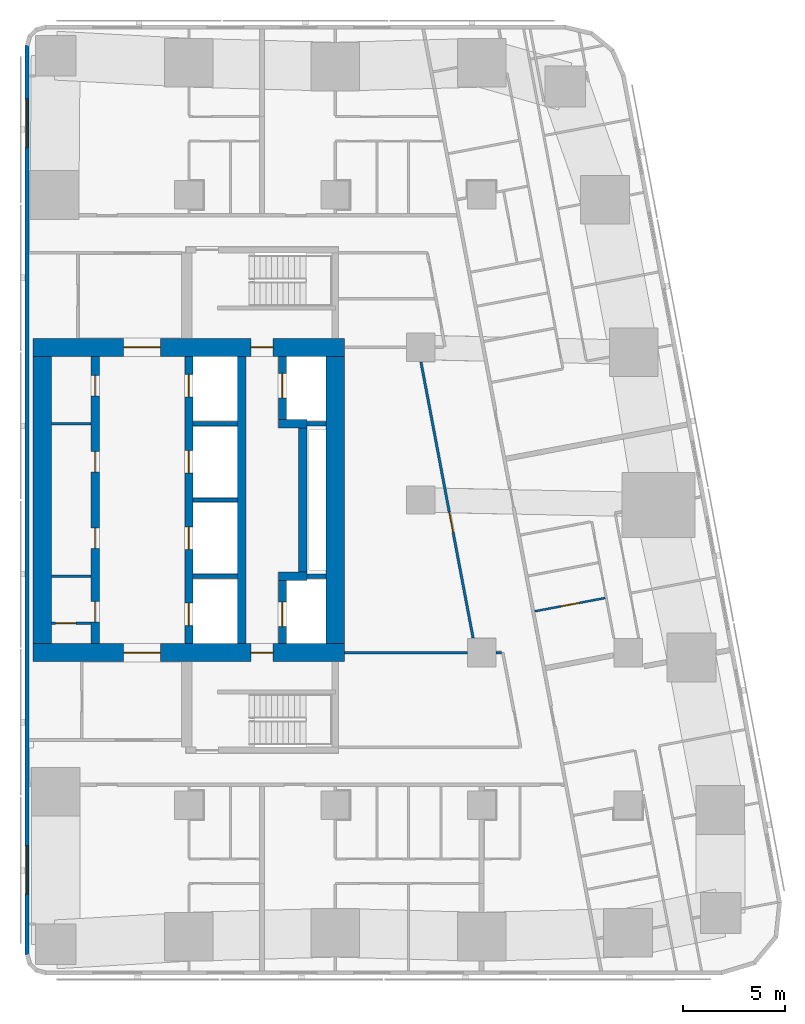
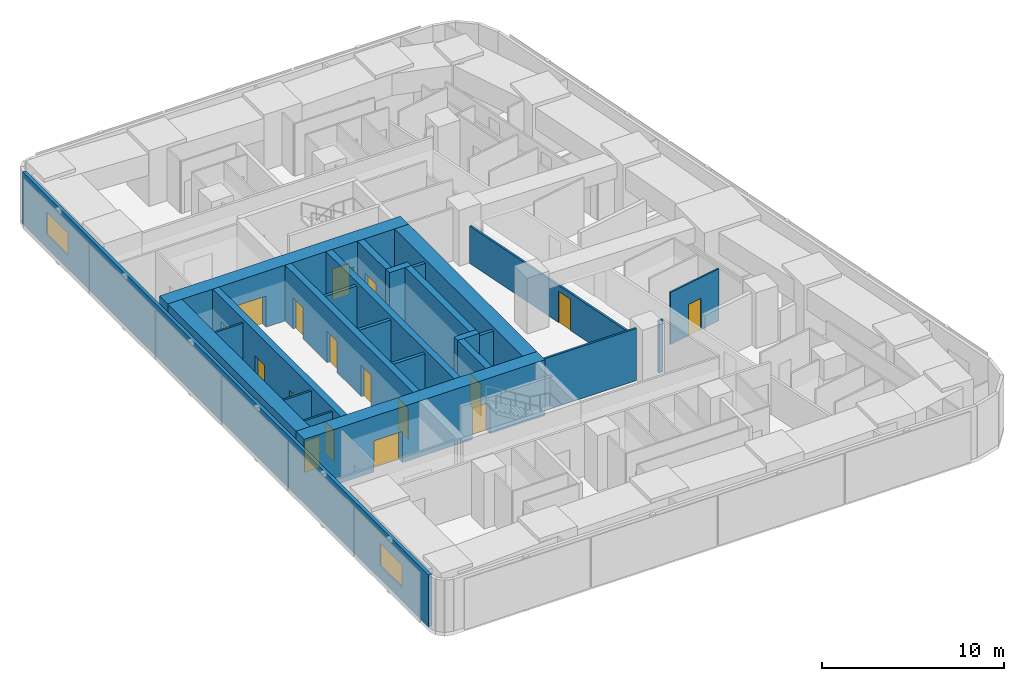
# One storey, part 4 of 10: 25 walls, 17 doors, 2 windows, 19 openings.
"""IFC4 building model written with IfcOpenShell, lengths in metres."""

from ifc_helpers import new_model, si_unit, direction, frame, frame_2d, origin, place, context, subcontext, project, spatial, rectangle, extrude, material, layer, layer_set, type_object, element, fill, save


model = new_model("IFC4")

# Units and contexts
model_context = context("Model", 3, precision=1e-05, world=origin(), true_north=direction((0.0, 1.0)))
body_context = subcontext(model_context, "Body", "Model", "MODEL_VIEW")
ifc_project = project(units=[si_unit("LENGTHUNIT", "METRE"), si_unit("AREAUNIT", "SQUARE_METRE"), si_unit("VOLUMEUNIT", "CUBIC_METRE"), si_unit("PLANEANGLEUNIT", "RADIAN"), si_unit("MASSUNIT", "GRAM", prefix="KILO")], contexts=[model_context])

# Site, building, storey
site_placement = place(None, origin())
site = spatial("IfcSite", under=ifc_project, at=site_placement, CompositionType="ELEMENT")
building_placement = place(site_placement, origin())
building = spatial("IfcBuilding", under=site, at=building_placement, Name="Sheger Commons Tower", CompositionType="ELEMENT")
storey_placement = place(building_placement, frame((0.0, 0.0, 231.199951171875)))
storey = spatial("IfcBuildingStorey", under=building, at=storey_placement, Name="L59", CompositionType="ELEMENT", Elevation=231.199951171875)

# Wall, openings, doors
ifc_material_1 = material(Name="Concrete C50/60", Category="concrete")
ifc_layer_1 = layer(ifc_material_1, 0.39990234375)
ifc_layer_set_1 = layer_set([ifc_layer_1], Name="CORE INNER WALL 400")
wall_type_1 = type_object("IfcWallType", Name="CORE INNER WALL 400", PredefinedType="SHEAR", material=ifc_layer_set_1)
wall_1_placement = place(storey_placement, frame((17.0, 15.449951171875, 0.0), z_axis=(0.0, 0.0, 1.0), x_axis=(0.0, 1.0, 0.0)))
wall_1 = element("IfcWall", 1, at=wall_1_placement, inside=storey, type_object=wall_type_1, Name="Core inner wall A L59", PredefinedType="SHEAR", context=body_context, shape_type="SweptSolid", body=[
    extrude(rectangle(XDim=14.10009765625, YDim=0.39990234375, at=frame_2d((7.050048828125, 0.0))), origin(), (0.0, 0.0, 1.0), 3.75),
])
opening_1_placement = place(wall_1_placement, frame((1.050048828125, 0.0, 0.0)))
opening_1 = element("IfcOpeningElement", 2, at=opening_1_placement, cuts=wall_1, Name="Opening D4", PredefinedType="OPENING", context=body_context, shape_type="SweptSolid", body=[
    extrude(rectangle(XDim=1.0, YDim=2.10009765625, at=frame_2d((0.5, 1.050048828125))), frame((0.0, 0.2099609375, 0.0), z_axis=(0.0, -1.0, 0.0), x_axis=(1.0, 0.0, 0.0)), (0.0, 0.0, 1.0), 0.419921875),
])
opening_2_placement = place(wall_1_placement, frame((4.675048828125, 0.0, 0.0)))
opening_2 = element("IfcOpeningElement", 3, at=opening_2_placement, cuts=wall_1, Name="Opening D4", PredefinedType="OPENING", context=body_context, shape_type="SweptSolid", body=[
    extrude(rectangle(XDim=1.0, YDim=2.10009765625, at=frame_2d((0.5, 1.050048828125))), frame((0.0, 0.2099609375, 0.0), z_axis=(0.0, -1.0, 0.0), x_axis=(1.0, 0.0, 0.0)), (0.0, 0.0, 1.0), 0.419921875),
])
opening_3_placement = place(wall_1_placement, frame((8.425048828125, 0.0, 0.0)))
opening_3 = element("IfcOpeningElement", 4, at=opening_3_placement, cuts=wall_1, Name="Opening D4", PredefinedType="OPENING", context=body_context, shape_type="SweptSolid", body=[
    extrude(rectangle(XDim=1.0, YDim=2.10009765625, at=frame_2d((0.5, 1.050048828125))), frame((0.0, 0.2099609375, 0.0), z_axis=(0.0, -1.0, 0.0), x_axis=(1.0, 0.0, 0.0)), (0.0, 0.0, 1.0), 0.419921875),
])
opening_4_placement = place(wall_1_placement, frame((12.175048828125, 0.0, 0.0)))
opening_4 = element("IfcOpeningElement", 5, at=opening_4_placement, cuts=wall_1, Name="Opening D4", PredefinedType="OPENING", context=body_context, shape_type="SweptSolid", body=[
    extrude(rectangle(XDim=1.0, YDim=2.10009765625, at=frame_2d((0.5, 1.050048828125))), frame((0.0, 0.2099609375, 0.0), z_axis=(0.0, -1.0, 0.0), x_axis=(1.0, 0.0, 0.0)), (0.0, 0.0, 1.0), 0.419921875),
])
ifc_material_2 = material(Name="Steel door set, fire rated", Category="steel")
door_type_1 = type_object("IfcDoorType", Name="SERVICE DOOR 1000x2100", OperationType="NOTDEFINED", PredefinedType="DOOR", material=ifc_material_2)
door_1_placement = place(opening_1_placement, origin())
door_1 = element("IfcDoor", 6, at=door_1_placement, inside=storey, type_object=door_type_1, Name="Estate store door", OperationType="SINGLE_SWING_LEFT", OverallHeight=2.10009765625, OverallWidth=1.0, PredefinedType="DOOR", context=body_context, shape_type="SweptSolid", body=[
    extrude(rectangle(XDim=1.0, YDim=2.10009765625, at=frame_2d((0.5, 1.050048828125))), frame((0.0, 0.02490234375, 0.0), z_axis=(0.0, -1.0, 0.0), x_axis=(1.0, 0.0, 0.0)), (0.0, 0.0, 1.0), 0.050048828125),
])
fill(opening_1, door_1)
door_2_placement = place(opening_2_placement, origin())
door_2 = element("IfcDoor", 7, at=door_2_placement, inside=storey, type_object=door_type_1, Name="Bulky waste store door", OperationType="SINGLE_SWING_LEFT", OverallHeight=2.10009765625, OverallWidth=1.0, PredefinedType="DOOR", context=body_context, shape_type="SweptSolid", body=[
    extrude(rectangle(XDim=1.0, YDim=2.10009765625, at=frame_2d((0.5, 1.050048828125))), frame((0.0, 0.02490234375, 0.0), z_axis=(0.0, -1.0, 0.0), x_axis=(1.0, 0.0, 0.0)), (0.0, 0.0, 1.0), 0.050048828125),
])
fill(opening_2, door_2)
door_3_placement = place(opening_3_placement, origin())
door_3 = element("IfcDoor", 8, at=door_3_placement, inside=storey, type_object=door_type_1, Name="Bulky waste store door", OperationType="SINGLE_SWING_RIGHT", OverallHeight=2.10009765625, OverallWidth=1.0, PredefinedType="DOOR", context=body_context, shape_type="SweptSolid", body=[
    extrude(rectangle(XDim=1.0, YDim=2.10009765625, at=frame_2d((0.5, 1.050048828125))), frame((0.0, 0.02490234375, 0.0), z_axis=(0.0, -1.0, 0.0), x_axis=(1.0, 0.0, 0.0)), (0.0, 0.0, 1.0), 0.050048828125),
])
fill(opening_3, door_3)
door_4_placement = place(opening_4_placement, origin())
door_4 = element("IfcDoor", 9, at=door_4_placement, inside=storey, type_object=door_type_1, Name="Staff WC door", OperationType="SINGLE_SWING_RIGHT", OverallHeight=2.10009765625, OverallWidth=1.0, PredefinedType="DOOR", context=body_context, shape_type="SweptSolid", body=[
    extrude(rectangle(XDim=1.0, YDim=2.10009765625, at=frame_2d((0.5, 1.050048828125))), frame((0.0, 0.02490234375, 0.0), z_axis=(0.0, -1.0, 0.0), x_axis=(1.0, 0.0, 0.0)), (0.0, 0.0, 1.0), 0.050048828125),
])
fill(opening_4, door_4)

wall_2_placement = place(storey_placement, frame((21.60009765625, 15.449951171875, 0.0), z_axis=(0.0, 0.0, 1.0), x_axis=(0.0, 1.0, 0.0)))
wall_2 = element("IfcWall", 10, at=wall_2_placement, inside=storey, type_object=wall_type_1, Name="Core inner wall L L59", PredefinedType="SHEAR", context=body_context, shape_type="SweptSolid", body=[
    extrude(rectangle(XDim=14.10009765625, YDim=0.39990234375, at=frame_2d((7.050048828125, 0.0))), origin(), (0.0, 0.0, 1.0), 3.75),
])
opening_5_placement = place(wall_2_placement, frame((0.875, 0.0, 0.0)))
opening_5 = element("IfcOpeningElement", 11, at=opening_5_placement, cuts=wall_2, Name="Opening LD", PredefinedType="OPENING", context=body_context, shape_type="SweptSolid", body=[
    extrude(rectangle(XDim=1.10009765625, YDim=2.10009765625, at=frame_2d((0.550048828125, 1.050048828125))), frame((0.0, 0.2099609375, 0.0), z_axis=(0.0, -1.0, 0.0), x_axis=(1.0, 0.0, 0.0)), (0.0, 0.0, 1.0), 0.419921875),
])
opening_6_placement = place(wall_2_placement, frame((4.625, 0.0, 0.0)))
opening_6 = element("IfcOpeningElement", 12, at=opening_6_placement, cuts=wall_2, Name="Opening LD", PredefinedType="OPENING", context=body_context, shape_type="SweptSolid", body=[
    extrude(rectangle(XDim=1.10009765625, YDim=2.10009765625, at=frame_2d((0.550048828125, 1.050048828125))), frame((0.0, 0.2099609375, 0.0), z_axis=(0.0, -1.0, 0.0), x_axis=(1.0, 0.0, 0.0)), (0.0, 0.0, 1.0), 0.419921875),
])
opening_7_placement = place(wall_2_placement, frame((8.375, 0.0, 0.0)))
opening_7 = element("IfcOpeningElement", 13, at=opening_7_placement, cuts=wall_2, Name="Opening LD", PredefinedType="OPENING", context=body_context, shape_type="SweptSolid", body=[
    extrude(rectangle(XDim=1.10009765625, YDim=2.10009765625, at=frame_2d((0.550048828125, 1.050048828125))), frame((0.0, 0.2099609375, 0.0), z_axis=(0.0, -1.0, 0.0), x_axis=(1.0, 0.0, 0.0)), (0.0, 0.0, 1.0), 0.419921875),
])
opening_8_placement = place(wall_2_placement, frame((12.125, 0.0, 0.0)))
opening_8 = element("IfcOpeningElement", 14, at=opening_8_placement, cuts=wall_2, Name="Opening LD", PredefinedType="OPENING", context=body_context, shape_type="SweptSolid", body=[
    extrude(rectangle(XDim=1.10009765625, YDim=2.10009765625, at=frame_2d((0.550048828125, 1.050048828125))), frame((0.0, 0.2099609375, 0.0), z_axis=(0.0, -1.0, 0.0), x_axis=(1.0, 0.0, 0.0)), (0.0, 0.0, 1.0), 0.419921875),
])
ifc_material_3 = material(Name="Steel door set, fire rated", Category="steel")
door_type_2 = type_object("IfcDoorType", Name="LIFT LANDING DOOR 1100x2100", OperationType="DOUBLE_DOOR_SLIDING", PredefinedType="DOOR", material=ifc_material_3)
door_5_placement = place(opening_5_placement, origin())
door_5 = element("IfcDoor", 15, at=door_5_placement, inside=storey, type_object=door_type_2, Name="Lift LB1 landing door", OperationType="DOUBLE_DOOR_SLIDING", OverallHeight=2.10009765625, OverallWidth=1.10009765625, PredefinedType="DOOR", context=body_context, shape_type="SweptSolid", body=[
    extrude(rectangle(XDim=1.10009765625, YDim=2.10009765625, at=frame_2d((0.550048828125, 1.050048828125))), frame((0.0, 0.02490234375, 0.0), z_axis=(0.0, -1.0, 0.0), x_axis=(1.0, 0.0, 0.0)), (0.0, 0.0, 1.0), 0.050048828125),
])
fill(opening_5, door_5)
door_6_placement = place(opening_6_placement, origin())
door_6 = element("IfcDoor", 16, at=door_6_placement, inside=storey, type_object=door_type_2, Name="Lift LB2 landing door", OperationType="DOUBLE_DOOR_SLIDING", OverallHeight=2.10009765625, OverallWidth=1.10009765625, PredefinedType="DOOR", context=body_context, shape_type="SweptSolid", body=[
    extrude(rectangle(XDim=1.10009765625, YDim=2.10009765625, at=frame_2d((0.550048828125, 1.050048828125))), frame((0.0, 0.02490234375, 0.0), z_axis=(0.0, -1.0, 0.0), x_axis=(1.0, 0.0, 0.0)), (0.0, 0.0, 1.0), 0.050048828125),
])
fill(opening_6, door_6)
door_7_placement = place(opening_7_placement, origin())
door_7 = element("IfcDoor", 17, at=door_7_placement, inside=storey, type_object=door_type_2, Name="Lift LB3 landing door", OperationType="DOUBLE_DOOR_SLIDING", OverallHeight=2.10009765625, OverallWidth=1.10009765625, PredefinedType="DOOR", context=body_context, shape_type="SweptSolid", body=[
    extrude(rectangle(XDim=1.10009765625, YDim=2.10009765625, at=frame_2d((0.550048828125, 1.050048828125))), frame((0.0, 0.02490234375, 0.0), z_axis=(0.0, -1.0, 0.0), x_axis=(1.0, 0.0, 0.0)), (0.0, 0.0, 1.0), 0.050048828125),
])
fill(opening_7, door_7)
door_8_placement = place(opening_8_placement, origin())
door_8 = element("IfcDoor", 18, at=door_8_placement, inside=storey, type_object=door_type_2, Name="Lift LB4 landing door", OperationType="DOUBLE_DOOR_SLIDING", OverallHeight=2.10009765625, OverallWidth=1.10009765625, PredefinedType="DOOR", context=body_context, shape_type="SweptSolid", body=[
    extrude(rectangle(XDim=1.10009765625, YDim=2.10009765625, at=frame_2d((0.550048828125, 1.050048828125))), frame((0.0, 0.02490234375, 0.0), z_axis=(0.0, -1.0, 0.0), x_axis=(1.0, 0.0, 0.0)), (0.0, 0.0, 1.0), 0.050048828125),
])
fill(opening_8, door_8)

# Wall
wall_3_placement = place(storey_placement, frame((24.199951171875, 15.449951171875, 0.0), z_axis=(0.0, 0.0, 1.0), x_axis=(0.0, 1.0, 0.0)))
element("IfcWall", 19, at=wall_3_placement, inside=storey, type_object=wall_type_1, Name="Core inner wall B L59", PredefinedType="SHEAR", context=body_context, shape_type="SweptSolid", body=[
    extrude(rectangle(XDim=14.10009765625, YDim=0.39990234375, at=frame_2d((7.050048828125, 0.0))), origin(), (0.0, 0.0, 1.0), 3.75),
])

# Wall, opening, door
wall_4_placement = place(storey_placement, frame((26.199951171875, 15.449951171875, 0.0), z_axis=(0.0, 0.0, 1.0), x_axis=(0.0, 1.0, 0.0)))
wall_4 = element("IfcWall", 20, at=wall_4_placement, inside=storey, type_object=wall_type_1, Name="Core inner wall F L59", PredefinedType="SHEAR", context=body_context, shape_type="SweptSolid", body=[
    extrude(rectangle(XDim=3.10009765625, YDim=0.39990234375, at=frame_2d((1.550048828125, 0.0))), origin(), (0.0, 0.0, 1.0), 3.75),
])
opening_9_placement = place(wall_4_placement, frame((0.824951171875, 0.0, 0.0)))
opening_9 = element("IfcOpeningElement", 21, at=opening_9_placement, cuts=wall_4, Name="Opening LD2", PredefinedType="OPENING", context=body_context, shape_type="SweptSolid", body=[
    extrude(rectangle(XDim=1.199951171875, YDim=2.10009765625, at=frame_2d((0.60009765625, 1.050048828125))), frame((0.0, 0.2099609375, 0.0), z_axis=(0.0, -1.0, 0.0), x_axis=(1.0, 0.0, 0.0)), (0.0, 0.0, 1.0), 0.419921875),
])
ifc_material_4 = material(Name="Steel door set, fire rated", Category="steel")
door_type_3 = type_object("IfcDoorType", Name="FIREFIGHTING LIFT LANDING DOOR 1200x2100", OperationType="DOUBLE_DOOR_SLIDING", PredefinedType="DOOR", material=ifc_material_4)
door_9_placement = place(opening_9_placement, origin())
door_9 = element("IfcDoor", 22, at=door_9_placement, inside=storey, type_object=door_type_3, Name="Lift FL1 landing door", OperationType="DOUBLE_DOOR_SLIDING", OverallHeight=2.10009765625, OverallWidth=1.199951171875, PredefinedType="DOOR", context=body_context, shape_type="SweptSolid", body=[
    extrude(rectangle(XDim=1.199951171875, YDim=2.10009765625, at=frame_2d((0.60009765625, 1.050048828125))), frame((0.0, 0.02490234375, 0.0), z_axis=(0.0, -1.0, 0.0), x_axis=(1.0, 0.0, 0.0)), (0.0, 0.0, 1.0), 0.050048828125),
])
fill(opening_9, door_9)

# Walls
wall_5_placement = place(storey_placement, frame((26.0, 18.75, 0.0), z_axis=(0.0, 0.0, 1.0), x_axis=(1.0, 0.0, 0.0)))
element("IfcWall", 23, at=wall_5_placement, inside=storey, type_object=wall_type_1, Name="Core inner wall F south return L59", PredefinedType="SHEAR", context=body_context, shape_type="SweptSolid", body=[
    extrude(rectangle(XDim=1.39990234375, YDim=0.39990234375, at=frame_2d((0.699951171875, 0.0))), origin(), (0.0, 0.0, 1.0), 3.75),
])
wall_6_placement = place(storey_placement, frame((27.199951171875, 18.949951171875, 0.0), z_axis=(0.0, 0.0, 1.0), x_axis=(0.0, 1.0, 0.0)))
element("IfcWall", 24, at=wall_6_placement, inside=storey, type_object=wall_type_1, Name="Core inner wall F middle L59", PredefinedType="SHEAR", context=body_context, shape_type="SweptSolid", body=[
    extrude(rectangle(XDim=7.10009765625, YDim=0.39990234375, at=frame_2d((3.550048828125, 0.0))), origin(), (0.0, 0.0, 1.0), 3.75),
])
wall_7_placement = place(storey_placement, frame((26.0, 26.25, 0.0), z_axis=(0.0, 0.0, 1.0), x_axis=(1.0, 0.0, 0.0)))
element("IfcWall", 25, at=wall_7_placement, inside=storey, type_object=wall_type_1, Name="Core inner wall F north return L59", PredefinedType="SHEAR", context=body_context, shape_type="SweptSolid", body=[
    extrude(rectangle(XDim=1.39990234375, YDim=0.39990234375, at=frame_2d((0.699951171875, 0.0))), origin(), (0.0, 0.0, 1.0), 3.75),
])

# Wall, opening, door
wall_8_placement = place(storey_placement, frame((26.199951171875, 26.449951171875, 0.0), z_axis=(0.0, 0.0, 1.0), x_axis=(0.0, 1.0, 0.0)))
wall_8 = element("IfcWall", 26, at=wall_8_placement, inside=storey, type_object=wall_type_1, Name="Core inner wall F north L59", PredefinedType="SHEAR", context=body_context, shape_type="SweptSolid", body=[
    extrude(rectangle(XDim=3.10009765625, YDim=0.39990234375, at=frame_2d((1.550048828125, 0.0))), origin(), (0.0, 0.0, 1.0), 3.75),
])
opening_10_placement = place(wall_8_placement, frame((1.074951171875, 0.0, 0.0)))
opening_10 = element("IfcOpeningElement", 27, at=opening_10_placement, cuts=wall_8, Name="Opening LD2", PredefinedType="OPENING", context=body_context, shape_type="SweptSolid", body=[
    extrude(rectangle(XDim=1.199951171875, YDim=2.10009765625, at=frame_2d((0.60009765625, 1.050048828125))), frame((0.0, 0.2099609375, 0.0), z_axis=(0.0, -1.0, 0.0), x_axis=(1.0, 0.0, 0.0)), (0.0, 0.0, 1.0), 0.419921875),
])
door_10_placement = place(opening_10_placement, origin())
door_10 = element("IfcDoor", 28, at=door_10_placement, inside=storey, type_object=door_type_3, Name="Lift FL2 landing door", OperationType="DOUBLE_DOOR_SLIDING", OverallHeight=2.10009765625, OverallWidth=1.199951171875, PredefinedType="DOOR", context=body_context, shape_type="SweptSolid", body=[
    extrude(rectangle(XDim=1.199951171875, YDim=2.10009765625, at=frame_2d((0.60009765625, 1.050048828125))), frame((0.0, 0.02490234375, 0.0), z_axis=(0.0, -1.0, 0.0), x_axis=(1.0, 0.0, 0.0)), (0.0, 0.0, 1.0), 0.050048828125),
])
fill(opening_10, door_10)

# Wall, openings, doors
ifc_material_5 = material(Name="Concrete C50/60", Category="concrete")
ifc_layer_2 = layer(ifc_material_5, 0.89990234375)
ifc_layer_set_2 = layer_set([ifc_layer_2], Name="CORE WALL 900")
wall_type_2 = type_object("IfcWallType", Name="CORE WALL 900", PredefinedType="SHEAR", material=ifc_layer_set_2)
wall_9_placement = place(storey_placement, frame((13.949951171875, 15.0, 0.0), z_axis=(0.0, 0.0, 1.0), x_axis=(1.0, 0.0, 0.0)))
wall_9 = element("IfcWall", 29, at=wall_9_placement, inside=storey, type_object=wall_type_2, Name="Core wall south L59", PredefinedType="SHEAR", context=body_context, shape_type="SweptSolid", body=[
    extrude(rectangle(XDim=15.300048828125, YDim=0.89990234375, at=frame_2d((7.64990234375, 0.0))), origin(), (0.0, 0.0, 1.0), 3.75),
])
opening_11_placement = place(wall_9_placement, frame((4.449951171875, 0.0, 0.0)))
opening_11 = element("IfcOpeningElement", 30, at=opening_11_placement, cuts=wall_9, Name="Opening D6", PredefinedType="OPENING", context=body_context, shape_type="SweptSolid", body=[
    extrude(rectangle(XDim=1.800048828125, YDim=2.10009765625, at=frame_2d((0.89990234375, 1.050048828125))), frame((0.0, 0.4599609375, 0.0), z_axis=(0.0, -1.0, 0.0), x_axis=(1.0, 0.0, 0.0)), (0.0, 0.0, 1.0), 0.919921875),
])
opening_12_placement = place(wall_9_placement, frame((10.699951171875, 0.0, 0.0)))
opening_12 = element("IfcOpeningElement", 31, at=opening_12_placement, cuts=wall_9, Name="Opening D5", PredefinedType="OPENING", context=body_context, shape_type="SweptSolid", body=[
    extrude(rectangle(XDim=1.10009765625, YDim=2.10009765625, at=frame_2d((0.550048828125, 1.050048828125))), frame((0.0, 0.4599609375, 0.0), z_axis=(0.0, -1.0, 0.0), x_axis=(1.0, 0.0, 0.0)), (0.0, 0.0, 1.0), 0.919921875),
])
ifc_material_6 = material(Name="Steel door set, fire rated", Category="steel")
door_type_4 = type_object("IfcDoorType", Name="LOBBY DOUBLE DOOR 1800x2100", OperationType="DOUBLE_DOOR_SINGLE_SWING", PredefinedType="DOOR", material=ifc_material_6)
door_11_placement = place(opening_11_placement, origin())
door_11 = element("IfcDoor", 32, at=door_11_placement, inside=storey, type_object=door_type_4, Name="Lift lobby door", OperationType="DOUBLE_DOOR_SINGLE_SWING", OverallHeight=2.10009765625, OverallWidth=1.800048828125, PredefinedType="DOOR", context=body_context, shape_type="SweptSolid", body=[
    extrude(rectangle(XDim=1.800048828125, YDim=2.10009765625, at=frame_2d((0.89990234375, 1.050048828125))), frame((0.0, 0.02490234375, 0.0), z_axis=(0.0, -1.0, 0.0), x_axis=(1.0, 0.0, 0.0)), (0.0, 0.0, 1.0), 0.050048828125),
])
fill(opening_11, door_11)
ifc_material_7 = material(Name="Steel door set, fire rated", Category="steel")
door_type_5 = type_object("IfcDoorType", Name="STAIR DOOR 1100x2100", OperationType="NOTDEFINED", PredefinedType="DOOR", material=ifc_material_7)
door_12_placement = place(opening_12_placement, origin())
door_12 = element("IfcDoor", 33, at=door_12_placement, inside=storey, type_object=door_type_5, Name="Fire-fighting lobby door", OperationType="SINGLE_SWING_RIGHT", OverallHeight=2.10009765625, OverallWidth=1.10009765625, PredefinedType="DOOR", context=body_context, shape_type="SweptSolid", body=[
    extrude(rectangle(XDim=1.10009765625, YDim=2.10009765625, at=frame_2d((0.550048828125, 1.050048828125))), frame((0.0, 0.02490234375, 0.0), z_axis=(0.0, -1.0, 0.0), x_axis=(1.0, 0.0, 0.0)), (0.0, 0.0, 1.0), 0.050048828125),
])
fill(opening_12, door_12)

wall_10_placement = place(storey_placement, frame((13.949951171875, 30.0, 0.0), z_axis=(0.0, 0.0, 1.0), x_axis=(1.0, 0.0, 0.0)))
wall_10 = element("IfcWall", 34, at=wall_10_placement, inside=storey, type_object=wall_type_2, Name="Core wall north L59", PredefinedType="SHEAR", context=body_context, shape_type="SweptSolid", body=[
    extrude(rectangle(XDim=15.300048828125, YDim=0.89990234375, at=frame_2d((7.64990234375, 0.0))), origin(), (0.0, 0.0, 1.0), 3.75),
])
opening_13_placement = place(wall_10_placement, frame((4.449951171875, 0.0, 0.0)))
opening_13 = element("IfcOpeningElement", 35, at=opening_13_placement, cuts=wall_10, Name="Opening D6", PredefinedType="OPENING", context=body_context, shape_type="SweptSolid", body=[
    extrude(rectangle(XDim=1.800048828125, YDim=2.10009765625, at=frame_2d((0.89990234375, 1.050048828125))), frame((0.0, 0.4599609375, 0.0), z_axis=(0.0, -1.0, 0.0), x_axis=(1.0, 0.0, 0.0)), (0.0, 0.0, 1.0), 0.919921875),
])
opening_14_placement = place(wall_10_placement, frame((10.699951171875, 0.0, 0.0)))
opening_14 = element("IfcOpeningElement", 36, at=opening_14_placement, cuts=wall_10, Name="Opening D5", PredefinedType="OPENING", context=body_context, shape_type="SweptSolid", body=[
    extrude(rectangle(XDim=1.10009765625, YDim=2.10009765625, at=frame_2d((0.550048828125, 1.050048828125))), frame((0.0, 0.4599609375, 0.0), z_axis=(0.0, -1.0, 0.0), x_axis=(1.0, 0.0, 0.0)), (0.0, 0.0, 1.0), 0.919921875),
])
door_13_placement = place(opening_13_placement, origin())
door_13 = element("IfcDoor", 37, at=door_13_placement, inside=storey, type_object=door_type_4, Name="Lift lobby door", OperationType="DOUBLE_DOOR_SINGLE_SWING", OverallHeight=2.10009765625, OverallWidth=1.800048828125, PredefinedType="DOOR", context=body_context, shape_type="SweptSolid", body=[
    extrude(rectangle(XDim=1.800048828125, YDim=2.10009765625, at=frame_2d((0.89990234375, 1.050048828125))), frame((0.0, 0.02490234375, 0.0), z_axis=(0.0, -1.0, 0.0), x_axis=(1.0, 0.0, 0.0)), (0.0, 0.0, 1.0), 0.050048828125),
])
fill(opening_13, door_13)
door_14_placement = place(opening_14_placement, origin())
door_14 = element("IfcDoor", 38, at=door_14_placement, inside=storey, type_object=door_type_5, Name="Fire-fighting lobby door", OperationType="SINGLE_SWING_RIGHT", OverallHeight=2.10009765625, OverallWidth=1.10009765625, PredefinedType="DOOR", context=body_context, shape_type="SweptSolid", body=[
    extrude(rectangle(XDim=1.10009765625, YDim=2.10009765625, at=frame_2d((0.550048828125, 1.050048828125))), frame((0.0, 0.02490234375, 0.0), z_axis=(0.0, -1.0, 0.0), x_axis=(1.0, 0.0, 0.0)), (0.0, 0.0, 1.0), 0.050048828125),
])
fill(opening_14, door_14)

# Walls
for number, where, z_axis, x_axis, name in (
    (39, (14.39990234375, 15.449951171875, 0.0), (0.0, 0.0, 1.0), (0.0, 1.0, 0.0), "Core wall west L59"),
    (40, (28.800048828125, 15.449951171875, 0.0), (0.0, 0.0, 1.0), (0.0, 1.0, 0.0), "Core wall east L59"),
):
    element("IfcWall", number, at=place(storey_placement, frame(where, z_axis=z_axis, x_axis=x_axis)), inside=storey, type_object=wall_type_2, Name=name, PredefinedType="SHEAR", context=body_context, shape_type="SweptSolid", body=[
        extrude(rectangle(XDim=14.10009765625, YDim=0.89990234375, at=frame_2d((7.050048828125, 0.0))), origin(), (0.0, 0.0, 1.0), 3.75),
    ])

# Wall, openings, windows
ifc_material_8 = material(Name="Rendered concrete block masonry, dark grey", Category="masonry")
ifc_layer_3 = layer(ifc_material_8, 0.199951171875)
ifc_layer_set_3 = layer_set([ifc_layer_3], Name="FACADE WALL 200")
wall_type_3 = type_object("IfcWallType", Name="FACADE WALL 200", PredefinedType="SOLIDWALL", material=ifc_layer_set_3)
wall_11_placement = place(storey_placement, frame((13.64990234375, 44.8369140625, 0.0), z_axis=(0.0, 0.0, 1.0), x_axis=(0.0, -1.0, 0.0)))
wall_11 = element("IfcWall", 41, at=wall_11_placement, inside=storey, type_object=wall_type_3, Name="Facade wall L59", PredefinedType="SOLIDWALL", context=body_context, shape_type="SweptSolid", body=[
    extrude(rectangle(XDim=44.673828125, YDim=0.199951171875, at=frame_2d((22.3369140625, 0.0))), origin(), (0.0, 0.0, 1.0), 3.5),
])
opening_15_placement = place(wall_11_placement, frame((2.614013671875, 0.0, 0.89990234375)))
opening_15 = element("IfcOpeningElement", 42, at=opening_15_placement, cuts=wall_11, Name="Opening W1", PredefinedType="OPENING", context=body_context, shape_type="SweptSolid", body=[
    extrude(rectangle(XDim=2.39990234375, YDim=1.5, at=frame_2d((1.199951171875, 0.75))), frame((0.0, 0.10986328125, 0.0), z_axis=(0.0, -1.0, 0.0), x_axis=(1.0, 0.0, 0.0)), (0.0, 0.0, 1.0), 0.219970703125),
])
opening_16_placement = place(wall_11_placement, frame((39.3330078125, 0.0, 0.89990234375)))
opening_16 = element("IfcOpeningElement", 43, at=opening_16_placement, cuts=wall_11, Name="Opening W1", PredefinedType="OPENING", context=body_context, shape_type="SweptSolid", body=[
    extrude(rectangle(XDim=2.39990234375, YDim=1.5, at=frame_2d((1.199951171875, 0.75))), frame((0.0, 0.10986328125, 0.0), z_axis=(0.0, -1.0, 0.0), x_axis=(1.0, 0.0, 0.0)), (0.0, 0.0, 1.0), 0.219970703125),
])
ifc_material_9 = material(Name="Black aluminium frame, dark tinted double glazing", Category="aluminium")
window_type = type_object("IfcWindowType", Name="WINDOW W1 2400x1500", PartitioningType="SINGLE_PANEL", PredefinedType="WINDOW", material=ifc_material_9)
window_1_placement = place(opening_15_placement, origin())
window_1 = element("IfcWindow", 44, at=window_1_placement, inside=storey, type_object=window_type, Name="Window W1 2400X1500", OverallHeight=1.5, OverallWidth=2.39990234375, PartitioningType="SINGLE_PANEL", PredefinedType="WINDOW", context=body_context, shape_type="SweptSolid", body=[
    extrude(rectangle(XDim=2.39990234375, YDim=1.5, at=frame_2d((1.199951171875, 0.75))), frame((0.0, 0.030029296875, 0.0), z_axis=(0.0, -1.0, 0.0), x_axis=(1.0, 0.0, 0.0)), (0.0, 0.0, 1.0), 0.06005859375),
])
fill(opening_15, window_1)
window_2_placement = place(opening_16_placement, origin())
window_2 = element("IfcWindow", 45, at=window_2_placement, inside=storey, type_object=window_type, Name="Window W1 2400X1500", OverallHeight=1.5, OverallWidth=2.39990234375, PartitioningType="SINGLE_PANEL", PredefinedType="WINDOW", context=body_context, shape_type="SweptSolid", body=[
    extrude(rectangle(XDim=2.39990234375, YDim=1.5, at=frame_2d((1.199951171875, 0.75))), frame((0.0, 0.030029296875, 0.0), z_axis=(0.0, -1.0, 0.0), x_axis=(1.0, 0.0, 0.0)), (0.0, 0.0, 1.0), 0.06005859375),
])
fill(opening_16, window_2)

# Wall, opening, door
ifc_material_10 = material(Name="Gypsum board on steel studs", Category="steel")
ifc_layer_4 = layer(ifc_material_10, 0.10009765625)
ifc_layer_set_4 = layer_set([ifc_layer_4], Name="PARTITION 100")
wall_type_4 = type_object("IfcWallType", Name="PARTITION 100", PredefinedType="PARTITIONING", material=ifc_layer_set_4)
wall_12_placement = place(storey_placement, frame((42.072998046875, 17.681884765625, 0.0), z_axis=(0.0, 0.0, 1.0), x_axis=(-0.98265117712, -0.185463376723, 0.0)))
wall_12 = element("IfcWall", 46, at=wall_12_placement, inside=storey, type_object=wall_type_4, Name="Partition L59", PredefinedType="PARTITIONING", context=body_context, shape_type="SweptSolid", body=[
    extrude(rectangle(XDim=3.525390625, YDim=0.10009765625, at=frame_2d((1.7626953125, 0.0))), origin(), (0.0, 0.0, 1.0), 3.5),
])
opening_17_placement = place(wall_12_placement, frame((1.324951171875, 0.0, 0.0)))
opening_17 = element("IfcOpeningElement", 47, at=opening_17_placement, cuts=wall_12, Name="Opening D2", PredefinedType="OPENING", context=body_context, shape_type="SweptSolid", body=[
    extrude(rectangle(XDim=0.89990234375, YDim=2.10009765625, at=frame_2d((0.449951171875, 1.050048828125))), frame((0.0, 0.06005859375, 0.0), z_axis=(0.0, -1.0, 0.0), x_axis=(1.0, 0.0, 0.0)), (0.0, 0.0, 1.0), 0.1201171875),
])
ifc_material_11 = material(Name="Timber door set", Category="wood")
door_type_6 = type_object("IfcDoorType", Name="INTERNAL DOOR 900x2100", OperationType="NOTDEFINED", PredefinedType="DOOR", material=ifc_material_11)
door_15_placement = place(opening_17_placement, origin())
door_15 = element("IfcDoor", 48, at=door_15_placement, inside=storey, type_object=door_type_6, Name="Store door", OperationType="SINGLE_SWING_LEFT", OverallHeight=2.10009765625, OverallWidth=0.89990234375, PredefinedType="DOOR", context=body_context, shape_type="SweptSolid", body=[
    extrude(rectangle(XDim=0.89990234375, YDim=2.10009765625, at=frame_2d((0.449951171875, 1.050048828125))), frame((0.0, 0.02490234375, 0.0), z_axis=(0.0, -1.0, 0.0), x_axis=(1.0, 0.0, 0.0)), (0.0, 0.0, 1.0), 0.050048828125),
])
fill(opening_17, door_15)

ifc_material_12 = material(Name="Gypsum board on steel studs, two layers each side, fire rated", Category="steel")
ifc_layer_5 = layer(ifc_material_12, 0.125)
ifc_layer_set_5 = layer_set([ifc_layer_5], Name="SERVICE WALL 125")
wall_type_5 = type_object("IfcWallType", Name="SERVICE WALL 125", PredefinedType="PARTITIONING", material=ifc_layer_set_5)
wall_13_placement = place(storey_placement, frame((35.575927734375, 15.712890625, 0.0), z_axis=(0.0, 0.0, 1.0), x_axis=(-0.185602982696, 0.982624817931, 0.0)))
wall_13 = element("IfcWall", 49, at=wall_13_placement, inside=storey, type_object=wall_type_5, Name="Service room wall L59", PredefinedType="PARTITIONING", context=body_context, shape_type="SweptSolid", body=[
    extrude(rectangle(XDim=13.814208984375, YDim=0.125, at=frame_2d((6.9072265625, 0.0))), origin(), (0.0, 0.0, 1.0), 2.5),
])
opening_18_placement = place(wall_13_placement, frame((5.300048828125, 0.0, 0.0)))
opening_18 = element("IfcOpeningElement", 50, at=opening_18_placement, cuts=wall_13, Name="Opening D4", PredefinedType="OPENING", context=body_context, shape_type="SweptSolid", body=[
    extrude(rectangle(XDim=1.0, YDim=2.10009765625, at=frame_2d((0.5, 1.050048828125))), frame((0.0, 0.072509765625, 0.0), z_axis=(0.0, -1.0, 0.0), x_axis=(1.0, 0.0, 0.0)), (0.0, 0.0, 1.0), 0.14501953125),
])
door_16_placement = place(opening_18_placement, origin())
door_16 = element("IfcDoor", 51, at=door_16_placement, inside=storey, type_object=door_type_1, Name="Residents' gym door", OperationType="SINGLE_SWING_LEFT", OverallHeight=2.10009765625, OverallWidth=1.0, PredefinedType="DOOR", context=body_context, shape_type="SweptSolid", body=[
    extrude(rectangle(XDim=1.0, YDim=2.10009765625, at=frame_2d((0.5, 1.050048828125))), frame((0.0, 0.02490234375, 0.0), z_axis=(0.0, -1.0, 0.0), x_axis=(1.0, 0.0, 0.0)), (0.0, 0.0, 1.0), 0.050048828125),
])
fill(opening_18, door_16)

# Walls
wall_14_placement = place(storey_placement, frame((29.25, 15.0, 0.0), z_axis=(0.0, 0.0, 1.0), x_axis=(1.0, 0.0, 0.0)))
element("IfcWall", 52, at=wall_14_placement, inside=storey, type_object=wall_type_5, Name="Service room wall L59", PredefinedType="PARTITIONING", context=body_context, shape_type="SweptSolid", body=[
    extrude(rectangle(XDim=6.049072265625, YDim=0.125, at=frame_2d((3.0244140625, 0.0))), origin(), (0.0, 0.0, 1.0), 3.5),
])
wall_15_placement = place(storey_placement, frame((36.700927734375, 15.0, 0.0), z_axis=(0.0, 0.0, 1.0), x_axis=(1.0, 0.0, 0.0)))
element("IfcWall", 53, at=wall_15_placement, inside=storey, type_object=wall_type_5, Name="Service room wall L59", PredefinedType="PARTITIONING", context=body_context, shape_type="SweptSolid", body=[
    extrude(rectangle(XDim=0.27197265625, YDim=0.125, at=frame_2d((0.135986328125, 0.0))), origin(), (0.0, 0.0, 1.0), 3.5),
])

# Wall, opening, door
wall_16_placement = place(storey_placement, frame((14.85009765625, 16.449951171875, 0.0), z_axis=(0.0, 0.0, 1.0), x_axis=(1.0, 0.0, 0.0)))
wall_16 = element("IfcWall", 54, at=wall_16_placement, inside=storey, type_object=wall_type_5, Name="Service room wall L59", PredefinedType="PARTITIONING", context=body_context, shape_type="SweptSolid", body=[
    extrude(rectangle(XDim=1.949951171875, YDim=0.125, at=frame_2d((0.97509765625, 0.0))), origin(), (0.0, 0.0, 1.0), 3.5),
])
opening_19_placement = place(wall_16_placement, frame((0.199951171875, 0.0, 0.0)))
opening_19 = element("IfcOpeningElement", 55, at=opening_19_placement, cuts=wall_16, Name="Opening D4", PredefinedType="OPENING", context=body_context, shape_type="SweptSolid", body=[
    extrude(rectangle(XDim=1.0, YDim=2.10009765625, at=frame_2d((0.5, 1.050048828125))), frame((0.0, 0.072509765625, 0.0), z_axis=(0.0, -1.0, 0.0), x_axis=(1.0, 0.0, 0.0)), (0.0, 0.0, 1.0), 0.14501953125),
])
door_17_placement = place(opening_19_placement, origin())
door_17 = element("IfcDoor", 56, at=door_17_placement, inside=storey, type_object=door_type_1, Name="Electrical riser door", OperationType="SINGLE_SWING_RIGHT", OverallHeight=2.10009765625, OverallWidth=1.0, PredefinedType="DOOR", context=body_context, shape_type="SweptSolid", body=[
    extrude(rectangle(XDim=1.0, YDim=2.10009765625, at=frame_2d((0.5, 1.050048828125))), frame((0.0, 0.02490234375, 0.0), z_axis=(0.0, -1.0, 0.0), x_axis=(1.0, 0.0, 0.0)), (0.0, 0.0, 1.0), 0.050048828125),
])
fill(opening_19, door_17)

# Walls
for number, where, z_axis, x_axis, name in (
    (57, (14.85009765625, 18.75, 0.0), (0.0, 0.0, 1.0), (1.0, 0.0, 0.0), "Service room wall L59"),
    (58, (14.85009765625, 26.25, 0.0), (0.0, 0.0, 1.0), (1.0, 0.0, 0.0), "Service room wall L59"),
):
    element("IfcWall", number, at=place(storey_placement, frame(where, z_axis=z_axis, x_axis=x_axis)), inside=storey, type_object=wall_type_5, Name=name, PredefinedType="PARTITIONING", context=body_context, shape_type="SweptSolid", body=[
        extrude(rectangle(XDim=1.949951171875, YDim=0.125, at=frame_2d((0.97509765625, 0.0))), origin(), (0.0, 0.0, 1.0), 3.5),
    ])
ifc_material_13 = material(Name="Hollow concrete block masonry", Category="masonry")
ifc_layer_6 = layer(ifc_material_13, 0.199951171875)
ifc_layer_set_6 = layer_set([ifc_layer_6], Name="SHAFT WALL 200")
wall_type_6 = type_object("IfcWallType", Name="SHAFT WALL 200", PredefinedType="SOLIDWALL", material=ifc_layer_set_6)
for number, where, z_axis, x_axis, name in (
    (59, (21.800048828125, 18.75, 0.0), (0.0, 0.0, 1.0), (1.0, 0.0, 0.0), "Lift shaft wall L59"),
    (60, (21.800048828125, 22.5, 0.0), (0.0, 0.0, 1.0), (1.0, 0.0, 0.0), "Lift shaft wall L59"),
    (61, (21.800048828125, 26.25, 0.0), (0.0, 0.0, 1.0), (1.0, 0.0, 0.0), "Lift shaft wall L59"),
):
    element("IfcWall", number, at=place(storey_placement, frame(where, z_axis=z_axis, x_axis=x_axis)), inside=storey, type_object=wall_type_6, Name=name, PredefinedType="SOLIDWALL", context=body_context, shape_type="SweptSolid", body=[
        extrude(rectangle(XDim=2.199951171875, YDim=0.199951171875, at=frame_2d((1.10009765625, 0.0))), origin(), (0.0, 0.0, 1.0), 3.5),
    ])
for number, where, z_axis, x_axis, name in (
    (62, (27.39990234375, 18.75, 0.0), (0.0, 0.0, 1.0), (1.0, 0.0, 0.0), "Lift shaft wall L59"),
    (63, (27.39990234375, 26.25, 0.0), (0.0, 0.0, 1.0), (1.0, 0.0, 0.0), "Lift shaft wall L59"),
):
    element("IfcWall", number, at=place(storey_placement, frame(where, z_axis=z_axis, x_axis=x_axis)), inside=storey, type_object=wall_type_6, Name=name, PredefinedType="SOLIDWALL", context=body_context, shape_type="SweptSolid", body=[
        extrude(rectangle(XDim=0.9501953125, YDim=0.199951171875, at=frame_2d((0.47509765625, 0.0))), origin(), (0.0, 0.0, 1.0), 3.5),
    ])

save(model, "model.ifc")
